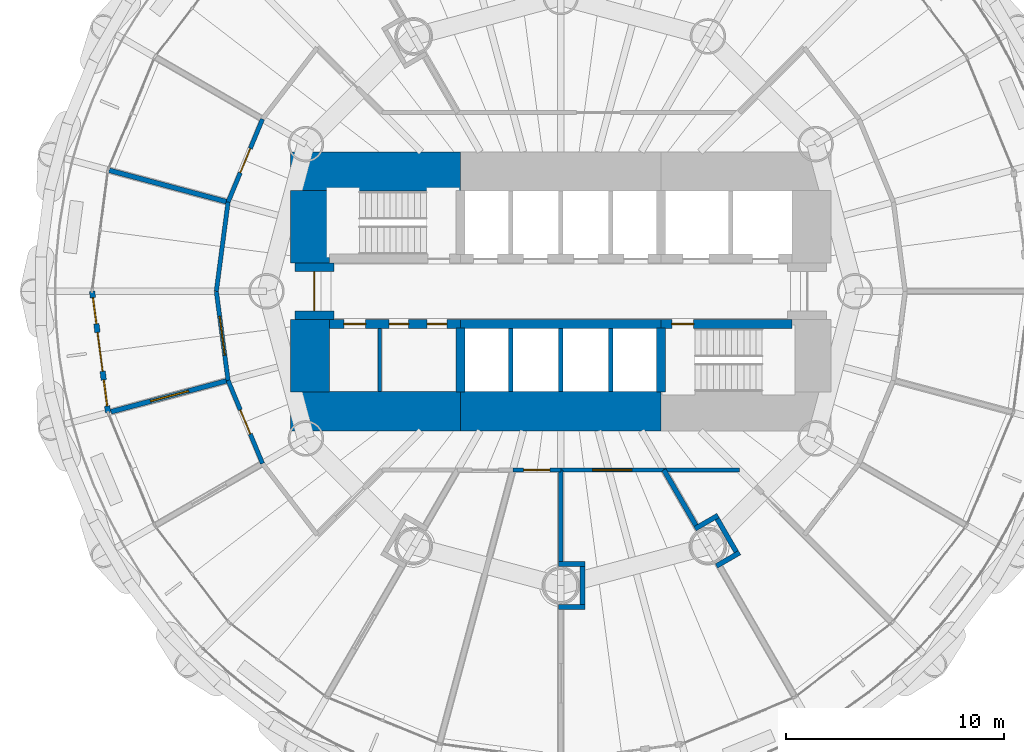
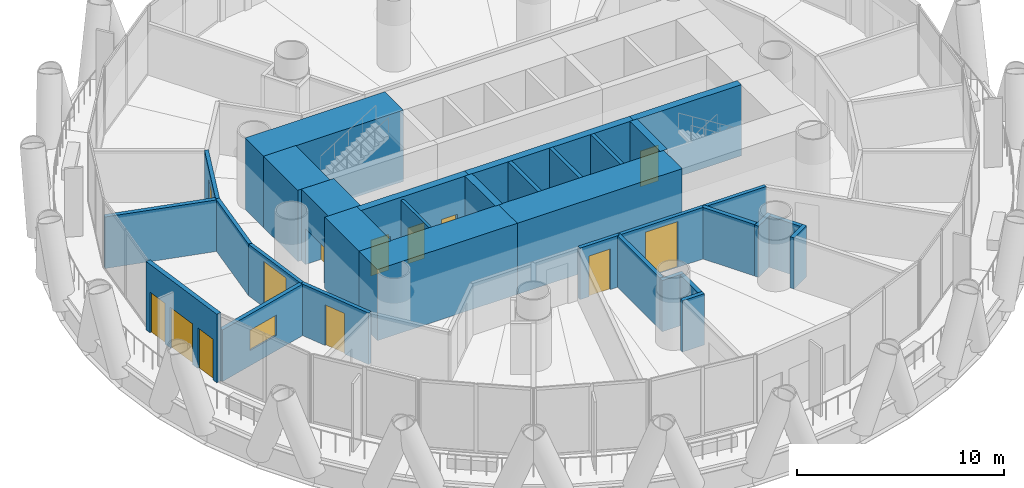
# One storey, part 10 of 16: 33 walls, 11 doors, 3 windows, 14 openings.
"""IFC4 building model written with IfcOpenShell, lengths in metres."""

from ifc_helpers import new_model, si_unit, direction, frame, frame_2d, origin, place, context, subcontext, project, spatial, rectangle, extrude, material, layer, layer_set, type_object, element, fill, save


model = new_model("IFC4")

# Units and contexts
model_context = context("Model", 3, precision=1e-05, world=origin(), true_north=direction((0.0, 1.0)))
body_context = subcontext(model_context, "Body", "Model", "MODEL_VIEW")
ifc_project = project(units=[si_unit("LENGTHUNIT", "METRE"), si_unit("AREAUNIT", "SQUARE_METRE"), si_unit("VOLUMEUNIT", "CUBIC_METRE"), si_unit("PLANEANGLEUNIT", "RADIAN"), si_unit("MASSUNIT", "GRAM", prefix="KILO")], contexts=[model_context])

# Site, building, storey
site_placement = place(None, origin())
site = spatial("IfcSite", under=ifc_project, at=site_placement, CompositionType="ELEMENT")
building_placement = place(site_placement, origin())
building = spatial("IfcBuilding", under=site, at=building_placement, Name="Qaws Media Tower", CompositionType="ELEMENT")
storey_placement = place(building_placement, frame((0.0, 0.0, 38.60009765625)))
storey = spatial("IfcBuildingStorey", under=building, at=storey_placement, Name="L07", CompositionType="ELEMENT", Elevation=38.60009765625)

# Wall
ifc_material_1 = material(Name="Twin metal stud frames, two layers gypsum board each side, insulated, Rw 55", Category="gypsum")
ifc_layer_1 = layer(ifc_material_1, 0.22509765625)
ifc_layer_set_1 = layer_set([ifc_layer_1], Name="Acoustic twin-stud partition 225 Rw 55")
wall_type_1 = type_object("IfcWallType", Name="Acoustic twin-stud partition 225 Rw 55", PredefinedType="PARTITIONING", material=ifc_layer_set_1)
wall_1_placement = place(storey_placement, frame((44.73828125, 54.08935546875, 0.0), z_axis=(0.0, 0.0, 1.0), x_axis=(-0.965927834919, 0.258811548677, 0.0)))
element("IfcWall", 1, at=wall_1_placement, inside=storey, type_object=wall_type_1, Name="W034 IW6 partition L07", PredefinedType="PARTITIONING", context=body_context, shape_type="SweptSolid", body=[
    extrude(rectangle(XDim=5.659912109375, YDim=0.22509765625, at=frame_2d((2.830078125, 0.0))), origin(), (0.0, 0.0, 1.0), 3.039794921875),
])

# Wall, opening, window
wall_2_placement = place(storey_placement, frame((44.73828125, 45.91064453125, 0.0), z_axis=(0.0, 0.0, 1.0), x_axis=(-0.965926686799, -0.258815833613, 0.0)))
wall_2 = element("IfcWall", 2, at=wall_2_placement, inside=storey, type_object=wall_type_1, Name="W033 IW6 partition L07", PredefinedType="PARTITIONING", context=body_context, shape_type="SweptSolid", body=[
    extrude(rectangle(XDim=5.559814453125, YDim=0.22509765625, at=frame_2d((2.77978515625, 0.0))), origin(), (0.0, 0.0, 1.0), 3.039794921875),
])
opening_1_placement = place(wall_2_placement, frame((1.8798828125, 0.0, 0.89990234375)))
opening_1 = element("IfcOpeningElement", 3, at=opening_1_placement, cuts=wall_2, Name="Opening W8", PredefinedType="OPENING", context=body_context, shape_type="SweptSolid", body=[
    extrude(rectangle(XDim=1.800048828125, YDim=1.199951171875, at=frame_2d((0.89990234375, 0.60009765625))), frame((0.0, 0.12255859375, 0.0), z_axis=(0.0, -1.0, 0.0), x_axis=(1.0, 0.0, 0.0)), (0.0, 0.0, 1.0), 0.2451171875),
])
ifc_material_2 = material(Name="Laminated acoustic double glazing, Rw 50, in steel frame", Category="steel")
window_type_1 = type_object("IfcWindowType", Name="Control room observation window 1800x1200", PartitioningType="SINGLE_PANEL", PredefinedType="WINDOW", material=ifc_material_2)
window_1_placement = place(opening_1_placement, origin())
window_1 = element("IfcWindow", 4, at=window_1_placement, inside=storey, type_object=window_type_1, Name="W8 control room observation window L07", OverallHeight=1.199951171875, OverallWidth=1.800048828125, PartitioningType="SINGLE_PANEL", PredefinedType="WINDOW", context=body_context, shape_type="SweptSolid", body=[
    extrude(rectangle(XDim=1.800048828125, YDim=1.199951171875, at=frame_2d((0.89990234375, 0.60009765625))), frame((0.0, 0.030029296875, 0.0), z_axis=(0.0, -1.0, 0.0), x_axis=(1.0, 0.0, 0.0)), (0.0, 0.0, 1.0), 0.06005859375),
])
fill(opening_1, window_1)

# Walls
for number, where, z_axis, x_axis, name in (
    (5, (59.887451171875, 37.485595703125, 0.0), (0.0, 0.0, 1.0), (1.0, 0.0, 0.0), "W012 IW6 partition return L07"),
    (6, (59.887451171875, 35.514404296875, 0.0), (0.0, 0.0, 1.0), (1.0, 0.0, 0.0), "W011 IW6 partition return L07"),
):
    element("IfcWall", number, at=place(storey_placement, frame(where, z_axis=z_axis, x_axis=x_axis)), inside=storey, type_object=wall_type_1, Name=name, PredefinedType="PARTITIONING", context=body_context, shape_type="SweptSolid", body=[
        extrude(rectangle(XDim=1.220458984375, YDim=0.22509765625, at=frame_2d((0.6103515625, 0.0))), origin(), (0.0, 0.0, 1.0), 3.02001953125),
    ])
wall_3_placement = place(storey_placement, frame((60.99560546875, 37.373046875, 0.0), z_axis=(0.0, 0.0, 1.0), x_axis=(0.0, -1.0, 0.0)))
element("IfcWall", 7, at=wall_3_placement, inside=storey, type_object=wall_type_1, Name="W015 IW6 partition return L07", PredefinedType="PARTITIONING", context=body_context, shape_type="SweptSolid", body=[
    extrude(rectangle(XDim=1.74609375, YDim=0.22509765625, at=frame_2d((0.873046875, 0.0))), origin(), (0.0, 0.0, 1.0), 3.02001953125),
])
wall_4_placement = place(storey_placement, frame((60.0, 41.800048828125, 0.0), z_axis=(0.0, 0.0, 1.0), x_axis=(0.0, -1.0, 0.0)))
element("IfcWall", 8, at=wall_4_placement, inside=storey, type_object=wall_type_1, Name="W014 IW6 partition L07", PredefinedType="PARTITIONING", context=body_context, shape_type="SweptSolid", body=[
    extrude(rectangle(XDim=4.2021484375, YDim=0.22509765625, at=frame_2d((2.10107421875, 0.0))), origin(), (0.0, 0.0, 1.0), 3.039794921875),
])
wall_5_placement = place(storey_placement, frame((66.159912109375, 39.10595703125, 0.0), z_axis=(0.0, 0.0, 1.0), x_axis=(0.866055662726, 0.499947586314, 0.0)))
element("IfcWall", 9, at=wall_5_placement, inside=storey, type_object=wall_type_1, Name="W017 IW6 partition return L07", PredefinedType="PARTITIONING", context=body_context, shape_type="SweptSolid", body=[
    extrude(rectangle(XDim=1.220458984375, YDim=0.22509765625, at=frame_2d((0.6103515625, 0.0))), origin(), (0.0, 0.0, 1.0), 3.02001953125),
])
wall_6_placement = place(storey_placement, frame((67.145263671875, 37.39892578125, 0.0), z_axis=(0.0, 0.0, 1.0), x_axis=(0.866019052629, 0.500011000363, 0.0)))
element("IfcWall", 10, at=wall_6_placement, inside=storey, type_object=wall_type_1, Name="W018 IW6 partition return L07", PredefinedType="PARTITIONING", context=body_context, shape_type="SweptSolid", body=[
    extrude(rectangle(XDim=1.220703125, YDim=0.22509765625, at=frame_2d((0.6103515625, 0.0))), origin(), (0.0, 0.0, 1.0), 3.02001953125),
])
wall_7_placement = place(storey_placement, frame((67.175537109375, 39.5625, 0.0), z_axis=(0.0, 0.0, 1.0), x_axis=(0.499988720078, -0.866031916153, 0.0)))
element("IfcWall", 11, at=wall_7_placement, inside=storey, type_object=wall_type_1, Name="W019 IW6 partition return L07", PredefinedType="PARTITIONING", context=body_context, shape_type="SweptSolid", body=[
    extrude(rectangle(XDim=1.74609375, YDim=0.22509765625, at=frame_2d((0.873046875, 0.0))), origin(), (0.0, 0.0, 1.0), 3.02001953125),
])
wall_8_placement = place(storey_placement, frame((64.72998046875, 41.807373046875, 0.0), z_axis=(0.0, 0.0, 1.0), x_axis=(0.49998584623, -0.866033575313, 0.0)))
element("IfcWall", 12, at=wall_8_placement, inside=storey, type_object=wall_type_1, Name="W016 IW6 partition L07", PredefinedType="PARTITIONING", context=body_context, shape_type="SweptSolid", body=[
    extrude(rectangle(XDim=2.94189453125, YDim=0.22509765625, at=frame_2d((1.470947265625, 0.0))), origin(), (0.0, 0.0, 1.0), 3.039794921875),
])

# Wall, openings, door, windows
ifc_material_3 = material(Name="Precast concrete, exposed finish", Category="concrete")
ifc_layer_2 = layer(ifc_material_3, 0.25)
ifc_layer_set_2 = layer_set([ifc_layer_2], Name="Balcony door wall 250")
wall_type_2 = type_object("IfcWallType", Name="Balcony door wall 250", PredefinedType="SOLIDWALL", material=ifc_layer_set_2)
wall_9_placement = place(storey_placement, frame((38.5, 50.0, 0.0), z_axis=(0.0, 0.0, 1.0), x_axis=(0.130536651449, -0.991443484334, 0.0)))
wall_9 = element("IfcWall", 13, at=wall_9_placement, inside=storey, type_object=wall_type_2, Name="W117 EW1 balcony door wall L07-13", PredefinedType="SOLIDWALL", context=body_context, shape_type="SweptSolid", body=[
    extrude(rectangle(XDim=5.61279296875, YDim=0.25, at=frame_2d((2.806396484375, 0.0))), origin(), (0.0, 0.0, 1.0), 4.039794921875),
])
opening_2_placement = place(wall_9_placement, frame((1.90625, 0.0, 0.0)))
opening_2 = element("IfcOpeningElement", 14, at=opening_2_placement, cuts=wall_9, Name="Opening D7", PredefinedType="OPENING", context=body_context, shape_type="SweptSolid", body=[
    extrude(rectangle(XDim=1.800048828125, YDim=2.39990234375, at=frame_2d((0.89990234375, 1.199951171875))), frame((0.0, 0.135009765625, 0.0), z_axis=(0.0, -1.0, 0.0), x_axis=(1.0, 0.0, 0.0)), (0.0, 0.0, 1.0), 0.27001953125),
])
opening_3_placement = place(wall_9_placement, frame((0.306396484375, 0.0, 0.0)))
opening_3 = element("IfcOpeningElement", 15, at=opening_3_placement, cuts=wall_9, Name="Opening W1", PredefinedType="OPENING", context=body_context, shape_type="SweptSolid", body=[
    extrude(rectangle(XDim=1.199951171875, YDim=2.39990234375, at=frame_2d((0.60009765625, 1.199951171875))), frame((0.0, 0.135009765625, 0.0), z_axis=(0.0, -1.0, 0.0), x_axis=(1.0, 0.0, 0.0)), (0.0, 0.0, 1.0), 0.27001953125),
])
opening_4_placement = place(wall_9_placement, frame((4.106201171875, 0.0, 0.0)))
opening_4 = element("IfcOpeningElement", 16, at=opening_4_placement, cuts=wall_9, Name="Opening W1", PredefinedType="OPENING", context=body_context, shape_type="SweptSolid", body=[
    extrude(rectangle(XDim=1.199951171875, YDim=2.39990234375, at=frame_2d((0.60009765625, 1.199951171875))), frame((0.0, 0.135009765625, 0.0), z_axis=(0.0, -1.0, 0.0), x_axis=(1.0, 0.0, 0.0)), (0.0, 0.0, 1.0), 0.27001953125),
])
ifc_material_4 = material(Name="Aluminium and clear glass", Category="aluminium")
door_type_1 = type_object("IfcDoorType", Name="Balcony door pair 1800", OperationType="DOUBLE_DOOR_SLIDING", PredefinedType="DOOR", material=ifc_material_4)
door_1_placement = place(opening_2_placement, origin())
door_1 = element("IfcDoor", 17, at=door_1_placement, inside=storey, type_object=door_type_1, Name="D7 balcony door L07-13 in wall W117", OperationType="DOUBLE_DOOR_SLIDING", OverallHeight=2.39990234375, OverallWidth=1.800048828125, PredefinedType="DOOR", context=body_context, shape_type="SweptSolid", body=[
    extrude(rectangle(XDim=1.800048828125, YDim=2.39990234375, at=frame_2d((0.89990234375, 1.199951171875))), frame((0.0, 0.02490234375, 0.0), z_axis=(0.0, -1.0, 0.0), x_axis=(1.0, 0.0, 0.0)), (0.0, 0.0, 1.0), 0.050048828125),
])
fill(opening_2, door_1)
ifc_material_5 = material(Name="Aluminium and clear glass", Category="aluminium")
window_type_2 = type_object("IfcWindowType", Name="Balcony side window 1200", PartitioningType="SINGLE_PANEL", PredefinedType="WINDOW", material=ifc_material_5)
window_2_placement = place(opening_3_placement, origin())
window_2 = element("IfcWindow", 18, at=window_2_placement, inside=storey, type_object=window_type_2, Name="W1 balcony side light L07-13L", OverallHeight=2.39990234375, OverallWidth=1.199951171875, PartitioningType="SINGLE_PANEL", PredefinedType="WINDOW", context=body_context, shape_type="SweptSolid", body=[
    extrude(rectangle(XDim=1.199951171875, YDim=2.39990234375, at=frame_2d((0.60009765625, 1.199951171875))), frame((0.0, 0.030029296875, 0.0), z_axis=(0.0, -1.0, 0.0), x_axis=(1.0, 0.0, 0.0)), (0.0, 0.0, 1.0), 0.06005859375),
])
fill(opening_3, window_2)
window_3_placement = place(opening_4_placement, origin())
window_3 = element("IfcWindow", 19, at=window_3_placement, inside=storey, type_object=window_type_2, Name="W1 balcony side light L07-13R", OverallHeight=2.39990234375, OverallWidth=1.199951171875, PartitioningType="SINGLE_PANEL", PredefinedType="WINDOW", context=body_context, shape_type="SweptSolid", body=[
    extrude(rectangle(XDim=1.199951171875, YDim=2.39990234375, at=frame_2d((0.60009765625, 1.199951171875))), frame((0.0, 0.030029296875, 0.0), z_axis=(0.0, -1.0, 0.0), x_axis=(1.0, 0.0, 0.0)), (0.0, 0.0, 1.0), 0.06005859375),
])
fill(opening_4, window_3)

# Wall, openings, doors
ifc_material_6 = material(Name="Concrete C60/75", Category="concrete")
ifc_layer_3 = layer(ifc_material_6, 0.39990234375)
ifc_layer_set_3 = layer_set([ifc_layer_3], Name="Core inner wall 400")
wall_type_3 = type_object("IfcWallType", Name="Core inner wall 400", PredefinedType="SHEAR", material=ifc_layer_set_3)
wall_10_placement = place(storey_placement, frame((49.3798828125, 48.5, 0.0), z_axis=(0.0, 0.0, 1.0), x_axis=(1.0, 0.0, 0.0)))
wall_10 = element("IfcWall", 20, at=wall_10_placement, inside=storey, type_object=wall_type_3, Name="W310 SW4 core wall SPSW L07", PredefinedType="SHEAR", context=body_context, shape_type="SweptSolid", body=[
    extrude(rectangle(XDim=6.02001953125, YDim=0.39990234375, at=frame_2d((3.010009765625, 0.0))), origin(), (0.0, 0.0, 1.0), 4.199951171875),
])
opening_5_placement = place(wall_10_placement, frame((0.669921875, 0.0, 0.0)))
opening_5 = element("IfcOpeningElement", 21, at=opening_5_placement, cuts=wall_10, Name="Opening D4", PredefinedType="OPENING", context=body_context, shape_type="SweptSolid", body=[
    extrude(rectangle(XDim=1.0, YDim=2.10009765625, at=frame_2d((0.5, 1.050048828125))), frame((0.0, 0.2099609375, 0.0), z_axis=(0.0, -1.0, 0.0), x_axis=(1.0, 0.0, 0.0)), (0.0, 0.0, 1.0), 0.419921875),
])
opening_6_placement = place(wall_10_placement, frame((2.7451171875, 0.0, 0.0)))
opening_6 = element("IfcOpeningElement", 22, at=opening_6_placement, cuts=wall_10, Name="Opening D3", PredefinedType="OPENING", context=body_context, shape_type="SweptSolid", body=[
    extrude(rectangle(XDim=0.89990234375, YDim=2.10009765625, at=frame_2d((0.449951171875, 1.050048828125))), frame((0.0, 0.2099609375, 0.0), z_axis=(0.0, -1.0, 0.0), x_axis=(1.0, 0.0, 0.0)), (0.0, 0.0, 1.0), 0.419921875),
])
opening_7_placement = place(wall_10_placement, frame((4.4951171875, 0.0, 0.0)))
opening_7 = element("IfcOpeningElement", 23, at=opening_7_placement, cuts=wall_10, Name="Opening D3", PredefinedType="OPENING", context=body_context, shape_type="SweptSolid", body=[
    extrude(rectangle(XDim=0.89990234375, YDim=2.10009765625, at=frame_2d((0.449951171875, 1.050048828125))), frame((0.0, 0.2099609375, 0.0), z_axis=(0.0, -1.0, 0.0), x_axis=(1.0, 0.0, 0.0)), (0.0, 0.0, 1.0), 0.419921875),
])
ifc_material_7 = material(Name="Timber veneered", Category="wood")
door_type_2 = type_object("IfcDoorType", Name="Accessible WC door 1000", OperationType="SLIDING_TO_LEFT", PredefinedType="DOOR", material=ifc_material_7)
door_2_placement = place(opening_5_placement, origin())
door_2 = element("IfcDoor", 24, at=door_2_placement, inside=storey, type_object=door_type_2, Name="D4 toilet door 1 L07 in wall W310", OperationType="SLIDING_TO_LEFT", OverallHeight=2.10009765625, OverallWidth=1.0, PredefinedType="DOOR", context=body_context, shape_type="SweptSolid", body=[
    extrude(rectangle(XDim=1.0, YDim=2.10009765625, at=frame_2d((0.5, 1.050048828125))), frame((0.0, 0.02490234375, 0.0), z_axis=(0.0, -1.0, 0.0), x_axis=(1.0, 0.0, 0.0)), (0.0, 0.0, 1.0), 0.050048828125),
])
fill(opening_5, door_2)
ifc_material_8 = material(Name="Timber veneered", Category="wood")
door_type_3 = type_object("IfcDoorType", Name="Toilet door 900", OperationType="SINGLE_SWING_RIGHT", PredefinedType="DOOR", material=ifc_material_8)
door_3_placement = place(opening_6_placement, origin())
door_3 = element("IfcDoor", 25, at=door_3_placement, inside=storey, type_object=door_type_3, Name="D3 toilet door 2 L07 in wall W310", OperationType="SINGLE_SWING_RIGHT", OverallHeight=2.10009765625, OverallWidth=0.89990234375, PredefinedType="DOOR", context=body_context, shape_type="SweptSolid", body=[
    extrude(rectangle(XDim=0.89990234375, YDim=2.10009765625, at=frame_2d((0.449951171875, 1.050048828125))), frame((0.0, 0.02490234375, 0.0), z_axis=(0.0, -1.0, 0.0), x_axis=(1.0, 0.0, 0.0)), (0.0, 0.0, 1.0), 0.050048828125),
])
fill(opening_6, door_3)
door_4_placement = place(opening_7_placement, origin())
door_4 = element("IfcDoor", 26, at=door_4_placement, inside=storey, type_object=door_type_3, Name="D3 toilet door 3 L07 in wall W310", OperationType="SINGLE_SWING_RIGHT", OverallHeight=2.10009765625, OverallWidth=0.89990234375, PredefinedType="DOOR", context=body_context, shape_type="SweptSolid", body=[
    extrude(rectangle(XDim=0.89990234375, YDim=2.10009765625, at=frame_2d((0.449951171875, 1.050048828125))), frame((0.0, 0.02490234375, 0.0), z_axis=(0.0, -1.0, 0.0), x_axis=(1.0, 0.0, 0.0)), (0.0, 0.0, 1.0), 0.050048828125),
])
fill(opening_7, door_4)

# Wall
wall_11_placement = place(storey_placement, frame((55.39990234375, 48.5, 0.0), z_axis=(0.0, 0.0, 1.0), x_axis=(1.0, 0.0, 0.0)))
element("IfcWall", 27, at=wall_11_placement, inside=storey, type_object=wall_type_3, Name="W313 SW4 core wall SPS L07", PredefinedType="SHEAR", context=body_context, shape_type="SweptSolid", body=[
    extrude(rectangle(XDim=9.2001953125, YDim=0.39990234375, at=frame_2d((4.60009765625, 0.0))), origin(), (0.0, 0.0, 1.0), 4.199951171875),
])

# Wall, opening, door
wall_12_placement = place(storey_placement, frame((64.60009765625, 48.5, 0.0), z_axis=(0.0, 0.0, 1.0), x_axis=(1.0, 0.0, 0.0)))
wall_12 = element("IfcWall", 28, at=wall_12_placement, inside=storey, type_object=wall_type_3, Name="W317 SW4 core wall SPSE L07", PredefinedType="SHEAR", context=body_context, shape_type="SweptSolid", body=[
    extrude(rectangle(XDim=6.02001953125, YDim=0.39990234375, at=frame_2d((3.010009765625, 0.0))), origin(), (0.0, 0.0, 1.0), 4.199951171875),
])
opening_8_placement = place(wall_12_placement, frame((0.5, 0.0, 0.0)))
opening_8 = element("IfcOpeningElement", 29, at=opening_8_placement, cuts=wall_12, Name="Opening D1", PredefinedType="OPENING", context=body_context, shape_type="SweptSolid", body=[
    extrude(rectangle(XDim=1.0, YDim=2.10009765625, at=frame_2d((0.5, 1.050048828125))), frame((0.0, 0.2099609375, 0.0), z_axis=(0.0, -1.0, 0.0), x_axis=(1.0, 0.0, 0.0)), (0.0, 0.0, 1.0), 0.419921875),
])
ifc_material_9 = material(Name="Steel, fire rated", Category="steel")
door_type_4 = type_object("IfcDoorType", Name="Stair door 1000 FD120", OperationType="SINGLE_SWING_LEFT", PredefinedType="DOOR", material=ifc_material_9)
door_5_placement = place(opening_8_placement, origin())
door_5 = element("IfcDoor", 30, at=door_5_placement, inside=storey, type_object=door_type_4, Name="D1 stair S2 door L07 in wall W317", OperationType="SINGLE_SWING_LEFT", OverallHeight=2.10009765625, OverallWidth=1.0, PredefinedType="DOOR", context=body_context, shape_type="SweptSolid", body=[
    extrude(rectangle(XDim=1.0, YDim=2.10009765625, at=frame_2d((0.5, 1.050048828125))), frame((0.0, 0.02490234375, 0.0), z_axis=(0.0, -1.0, 0.0), x_axis=(1.0, 0.0, 0.0)), (0.0, 0.0, 1.0), 0.050048828125),
])
fill(opening_8, door_5)

# Walls
for number, where, z_axis, x_axis, name in (
    (31, (55.39990234375, 48.320068359375, 0.0), (0.0, 0.0, 1.0), (0.0, -1.0, 0.0), "W312 SW4 core wall XSW L07"),
    (32, (64.60009765625, 48.320068359375, 0.0), (0.0, 0.0, 1.0), (0.0, -1.0, 0.0), "W316 SW4 core wall XSE L07"),
):
    element("IfcWall", number, at=place(storey_placement, frame(where, z_axis=z_axis, x_axis=x_axis)), inside=storey, type_object=wall_type_3, Name=name, PredefinedType="SHEAR", context=body_context, shape_type="SweptSolid", body=[
        extrude(rectangle(XDim=2.940185546875, YDim=0.39990234375, at=frame_2d((1.47021484375, 0.0))), origin(), (0.0, 0.0, 1.0), 4.199951171875),
    ])
ifc_material_10 = material(Name="Concrete C60/75", Category="concrete")
ifc_layer_4 = layer(ifc_material_10, 1.800048828125)
ifc_layer_set_4 = layer_set([ifc_layer_4], Name="Core wall 1800")
wall_type_4 = type_object("IfcWallType", Name="Core wall 1800", PredefinedType="SHEAR", material=ifc_layer_set_4)
for number, where, z_axis, x_axis, name in (
    (33, (47.60009765625, 55.5, 0.0), (0.0, 0.0, 1.0), (1.0, 0.0, 0.0), "W399 SW11 core wall NW L07"),
    (34, (47.60009765625, 44.5, 0.0), (0.0, 0.0, 1.0), (1.0, 0.0, 0.0), "W398 SW11 core wall SW L07"),
):
    element("IfcWall", number, at=place(storey_placement, frame(where, z_axis=z_axis, x_axis=x_axis)), inside=storey, type_object=wall_type_4, Name=name, PredefinedType="SHEAR", context=body_context, shape_type="SweptSolid", body=[
        extrude(rectangle(XDim=7.7998046875, YDim=1.800048828125, at=frame_2d((3.89990234375, 0.0))), origin(), (0.0, 0.0, 1.0), 4.199951171875),
    ])
wall_13_placement = place(storey_placement, frame((55.39990234375, 44.5, 0.0), z_axis=(0.0, 0.0, 1.0), x_axis=(1.0, 0.0, 0.0)))
element("IfcWall", 35, at=wall_13_placement, inside=storey, type_object=wall_type_4, Name="W403 SW11 core wall S L07", PredefinedType="SHEAR", context=body_context, shape_type="SweptSolid", body=[
    extrude(rectangle(XDim=9.2001953125, YDim=1.800048828125, at=frame_2d((4.60009765625, 0.0))), origin(), (0.0, 0.0, 1.0), 4.199951171875),
])
wall_14_placement = place(storey_placement, frame((48.5, 45.3798828125, 0.0), z_axis=(0.0, 0.0, 1.0), x_axis=(0.0, 1.0, 0.0)))
element("IfcWall", 36, at=wall_14_placement, inside=storey, type_object=wall_type_4, Name="W410 SW11 core wall WS L07", PredefinedType="SHEAR", context=body_context, shape_type="SweptSolid", body=[
    extrude(rectangle(XDim=3.320068359375, YDim=1.800048828125, at=frame_2d((1.66015625, 0.0))), origin(), (0.0, 0.0, 1.0), 4.199951171875),
])

# Wall, opening, door
wall_15_placement = place(storey_placement, frame((48.699951171875, 48.699951171875, 0.0), z_axis=(0.0, 0.0, 1.0), x_axis=(0.0, 1.0, 0.0)))
wall_15 = element("IfcWall", 37, at=wall_15_placement, inside=storey, type_object=wall_type_4, Name="W412 SW11 core wall W L07", PredefinedType="SHEAR", context=body_context, shape_type="SweptSolid", body=[
    extrude(rectangle(XDim=2.60009765625, YDim=1.800048828125, at=frame_2d((1.300048828125, 0.0))), origin(), (0.0, 0.0, 1.0), 4.199951171875),
])
opening_9_placement = place(wall_15_placement, frame((0.39990234375, 0.0, 0.0)))
opening_9 = element("IfcOpeningElement", 38, at=opening_9_placement, cuts=wall_15, Name="Opening D2", PredefinedType="OPENING", context=body_context, shape_type="SweptSolid", body=[
    extrude(rectangle(XDim=1.800048828125, YDim=2.10009765625, at=frame_2d((0.89990234375, 1.050048828125))), frame((0.0, 0.909912109375, 0.0), z_axis=(0.0, -1.0, 0.0), x_axis=(1.0, 0.0, 0.0)), (0.0, 0.0, 1.0), 1.820068359375),
])
ifc_material_11 = material(Name="Steel and glass, fire rated", Category="steel")
door_type_5 = type_object("IfcDoorType", Name="Lobby door pair 1800 FD60", OperationType="DOUBLE_DOOR_DOUBLE_SWING", PredefinedType="DOOR", material=ifc_material_11)
door_6_placement = place(opening_9_placement, origin())
door_6 = element("IfcDoor", 39, at=door_6_placement, inside=storey, type_object=door_type_5, Name="D2 core lobby door W L07 in wall W412", OperationType="DOUBLE_DOOR_DOUBLE_SWING", OverallHeight=2.10009765625, OverallWidth=1.800048828125, PredefinedType="DOOR", context=body_context, shape_type="SweptSolid", body=[
    extrude(rectangle(XDim=1.800048828125, YDim=2.10009765625, at=frame_2d((0.89990234375, 1.050048828125))), frame((0.0, 0.02490234375, 0.0), z_axis=(0.0, -1.0, 0.0), x_axis=(1.0, 0.0, 0.0)), (0.0, 0.0, 1.0), 0.050048828125),
])
fill(opening_9, door_6)

# Wall
wall_16_placement = place(storey_placement, frame((48.5, 51.300048828125, 0.0), z_axis=(0.0, 0.0, 1.0), x_axis=(0.0, 1.0, 0.0)))
element("IfcWall", 40, at=wall_16_placement, inside=storey, type_object=wall_type_4, Name="W411 SW11 core wall WN L07", PredefinedType="SHEAR", context=body_context, shape_type="SweptSolid", body=[
    extrude(rectangle(XDim=3.320068359375, YDim=1.800048828125, at=frame_2d((1.66015625, 0.0))), origin(), (0.0, 0.0, 1.0), 4.199951171875),
])

# Wall, opening, door
ifc_material_12 = material(Name="Gypsum board on galvanised metal studs, acoustic double stud, deflection head", Category="gypsum")
ifc_layer_5 = layer(ifc_material_12, 0.199951171875)
ifc_layer_set_5 = layer_set([ifc_layer_5], Name="Room partition 200")
wall_type_5 = type_object("IfcWallType", Name="Room partition 200", PredefinedType="PARTITIONING", material=ifc_layer_set_5)
wall_17_placement = place(storey_placement, frame((46.31689453125, 42.10009765625, 0.0), z_axis=(0.0, 0.0, 1.0), x_axis=(-0.382731667114, 0.923859551549, 0.0)))
wall_17 = element("IfcWall", 41, at=wall_17_placement, inside=storey, type_object=wall_type_5, Name="W946 IW3 partition L07", PredefinedType="PARTITIONING", context=body_context, shape_type="SweptSolid", body=[
    extrude(rectangle(XDim=4.12451171875, YDim=0.199951171875, at=frame_2d((2.062255859375, 0.0))), origin(), (0.0, 0.0, 1.0), 3.039794921875),
])
opening_10_placement = place(wall_17_placement, frame((1.46240234375, 0.0, 0.0)))
opening_10 = element("IfcOpeningElement", 42, at=opening_10_placement, cuts=wall_17, Name="Opening D14", PredefinedType="OPENING", context=body_context, shape_type="SweptSolid", body=[
    extrude(rectangle(XDim=1.199951171875, YDim=2.39990234375, at=frame_2d((0.60009765625, 1.199951171875))), frame((0.0, 0.10986328125, 0.0), z_axis=(0.0, -1.0, 0.0), x_axis=(1.0, 0.0, 0.0)), (0.0, 0.0, 1.0), 0.219970703125),
])
ifc_material_13 = material(Name="Steel acoustic door set, Rw 45", Category="steel")
door_type_6 = type_object("IfcDoorType", Name="Acoustic door 1200x2400 Rw 45", OperationType="SINGLE_SWING_LEFT", PredefinedType="DOOR", material=ifc_material_13)
door_7_placement = place(opening_10_placement, origin())
door_7 = element("IfcDoor", 43, at=door_7_placement, inside=storey, type_object=door_type_6, Name="D14 Control room door L07 in wall W946", OperationType="SINGLE_SWING_LEFT", OverallHeight=2.39990234375, OverallWidth=1.199951171875, PredefinedType="DOOR", context=body_context, shape_type="SweptSolid", body=[
    extrude(rectangle(XDim=1.199951171875, YDim=2.39990234375, at=frame_2d((0.60009765625, 1.199951171875))), frame((0.0, 0.02490234375, 0.0), z_axis=(0.0, -1.0, 0.0), x_axis=(1.0, 0.0, 0.0)), (0.0, 0.0, 1.0), 0.050048828125),
])
fill(opening_10, door_7)

wall_18_placement = place(storey_placement, frame((44.73828125, 45.91064453125, 0.0), z_axis=(0.0, 0.0, 1.0), x_axis=(-0.130515758099, 0.991446234996, 0.0)))
wall_18 = element("IfcWall", 44, at=wall_18_placement, inside=storey, type_object=wall_type_5, Name="W943 IW3 partition L07", PredefinedType="PARTITIONING", context=body_context, shape_type="SweptSolid", body=[
    extrude(rectangle(XDim=4.124755859375, YDim=0.199951171875, at=frame_2d((2.0625, 0.0))), origin(), (0.0, 0.0, 1.0), 3.039794921875),
])
opening_11_placement = place(wall_18_placement, frame((1.162353515625, 0.0, 0.0)))
opening_11 = element("IfcOpeningElement", 45, at=opening_11_placement, cuts=wall_18, Name="Opening D15", PredefinedType="OPENING", context=body_context, shape_type="SweptSolid", body=[
    extrude(rectangle(XDim=1.800048828125, YDim=2.699951171875, at=frame_2d((0.89990234375, 1.35009765625))), frame((0.0, 0.10986328125, 0.0), z_axis=(0.0, -1.0, 0.0), x_axis=(1.0, 0.0, 0.0)), (0.0, 0.0, 1.0), 0.219970703125),
])
ifc_material_14 = material(Name="Steel acoustic door set, Rw 50", Category="steel")
door_type_7 = type_object("IfcDoorType", Name="Studio acoustic door pair 1800x2700 Rw 50", OperationType="DOUBLE_DOOR_DOUBLE_SWING", PredefinedType="DOOR", material=ifc_material_14)
door_8_placement = place(opening_11_placement, origin())
door_8 = element("IfcDoor", 46, at=door_8_placement, inside=storey, type_object=door_type_7, Name="D15 Radio studio door L07 in wall W943", OperationType="DOUBLE_DOOR_DOUBLE_SWING", OverallHeight=2.699951171875, OverallWidth=1.800048828125, PredefinedType="DOOR", context=body_context, shape_type="SweptSolid", body=[
    extrude(rectangle(XDim=1.800048828125, YDim=2.699951171875, at=frame_2d((0.89990234375, 1.35009765625))), frame((0.0, 0.02490234375, 0.0), z_axis=(0.0, -1.0, 0.0), x_axis=(1.0, 0.0, 0.0)), (0.0, 0.0, 1.0), 0.050048828125),
])
fill(opening_11, door_8)

# Wall
wall_19_placement = place(storey_placement, frame((44.199951171875, 50.0, 0.0), z_axis=(0.0, 0.0, 1.0), x_axis=(0.130515758099, 0.991446234996, 0.0)))
element("IfcWall", 47, at=wall_19_placement, inside=storey, type_object=wall_type_5, Name="W941 IW3 partition L07", PredefinedType="PARTITIONING", context=body_context, shape_type="SweptSolid", body=[
    extrude(rectangle(XDim=4.124755859375, YDim=0.199951171875, at=frame_2d((2.0625, 0.0))), origin(), (0.0, 0.0, 1.0), 3.039794921875),
])

# Wall, opening, door
wall_20_placement = place(storey_placement, frame((44.73828125, 54.08935546875, 0.0), z_axis=(0.0, 0.0, 1.0), x_axis=(0.382731667114, 0.923859551549, 0.0)))
wall_20 = element("IfcWall", 48, at=wall_20_placement, inside=storey, type_object=wall_type_5, Name="W944 IW3 partition L07", PredefinedType="PARTITIONING", context=body_context, shape_type="SweptSolid", body=[
    extrude(rectangle(XDim=4.12451171875, YDim=0.199951171875, at=frame_2d((2.062255859375, 0.0))), origin(), (0.0, 0.0, 1.0), 3.039794921875),
])
opening_12_placement = place(wall_20_placement, frame((1.46240234375, 0.0, 0.0)))
opening_12 = element("IfcOpeningElement", 49, at=opening_12_placement, cuts=wall_20, Name="Opening D14", PredefinedType="OPENING", context=body_context, shape_type="SweptSolid", body=[
    extrude(rectangle(XDim=1.199951171875, YDim=2.39990234375, at=frame_2d((0.60009765625, 1.199951171875))), frame((0.0, 0.10986328125, 0.0), z_axis=(0.0, -1.0, 0.0), x_axis=(1.0, 0.0, 0.0)), (0.0, 0.0, 1.0), 0.219970703125),
])
door_9_placement = place(opening_12_placement, origin())
door_9 = element("IfcDoor", 50, at=door_9_placement, inside=storey, type_object=door_type_6, Name="D14 Podcast booth door L07 in wall W944", OperationType="SINGLE_SWING_LEFT", OverallHeight=2.39990234375, OverallWidth=1.199951171875, PredefinedType="DOOR", context=body_context, shape_type="SweptSolid", body=[
    extrude(rectangle(XDim=1.199951171875, YDim=2.39990234375, at=frame_2d((0.60009765625, 1.199951171875))), frame((0.0, 0.02490234375, 0.0), z_axis=(0.0, -1.0, 0.0), x_axis=(1.0, 0.0, 0.0)), (0.0, 0.0, 1.0), 0.050048828125),
])
fill(opening_12, door_9)

# Wall
wall_21_placement = place(storey_placement, frame((68.199951171875, 41.800048828125, 0.0), z_axis=(0.0, 0.0, 1.0), x_axis=(-1.0, 0.0, 0.0)))
element("IfcWall", 51, at=wall_21_placement, inside=storey, type_object=wall_type_5, Name="W974 IW3 partition L07", PredefinedType="PARTITIONING", context=body_context, shape_type="SweptSolid", body=[
    extrude(rectangle(XDim=3.465576171875, YDim=0.199951171875, at=frame_2d((1.73291015625, 0.0))), origin(), (0.0, 0.0, 1.0), 3.039794921875),
])

# Wall, opening, door
wall_22_placement = place(storey_placement, frame((64.734375, 41.800048828125, 0.0), z_axis=(0.0, 0.0, 1.0), x_axis=(-1.0, 0.0, 0.0)))
wall_22 = element("IfcWall", 52, at=wall_22_placement, inside=storey, type_object=wall_type_5, Name="W973 IW3 partition L07", PredefinedType="PARTITIONING", context=body_context, shape_type="SweptSolid", body=[
    extrude(rectangle(XDim=4.734375, YDim=0.199951171875, at=frame_2d((2.3671875, 0.0))), origin(), (0.0, 0.0, 1.0), 3.039794921875),
])
opening_13_placement = place(wall_22_placement, frame((1.467041015625, 0.0, 0.0)))
opening_13 = element("IfcOpeningElement", 53, at=opening_13_placement, cuts=wall_22, Name="Opening D15", PredefinedType="OPENING", context=body_context, shape_type="SweptSolid", body=[
    extrude(rectangle(XDim=1.800048828125, YDim=2.699951171875, at=frame_2d((0.89990234375, 1.35009765625))), frame((0.0, 0.10986328125, 0.0), z_axis=(0.0, -1.0, 0.0), x_axis=(1.0, 0.0, 0.0)), (0.0, 0.0, 1.0), 0.219970703125),
])
door_10_placement = place(opening_13_placement, origin())
door_10 = element("IfcDoor", 54, at=door_10_placement, inside=storey, type_object=door_type_7, Name="D15 Radio studio door L07 in wall W973", OperationType="DOUBLE_DOOR_DOUBLE_SWING", OverallHeight=2.699951171875, OverallWidth=1.800048828125, PredefinedType="DOOR", context=body_context, shape_type="SweptSolid", body=[
    extrude(rectangle(XDim=1.800048828125, YDim=2.699951171875, at=frame_2d((0.89990234375, 1.35009765625))), frame((0.0, 0.02490234375, 0.0), z_axis=(0.0, -1.0, 0.0), x_axis=(1.0, 0.0, 0.0)), (0.0, 0.0, 1.0), 0.050048828125),
])
fill(opening_13, door_10)

wall_23_placement = place(storey_placement, frame((60.0, 41.800048828125, 0.0), z_axis=(0.0, 0.0, 1.0), x_axis=(-1.0, 0.0, 0.0)))
wall_23 = element("IfcWall", 55, at=wall_23_placement, inside=storey, type_object=wall_type_5, Name="W972 IW3 partition L07", PredefinedType="PARTITIONING", context=body_context, shape_type="SweptSolid", body=[
    extrude(rectangle(XDim=2.197265625, YDim=0.199951171875, at=frame_2d((1.0986328125, 0.0))), origin(), (0.0, 0.0, 1.0), 3.039794921875),
])
opening_14_placement = place(wall_23_placement, frame((0.49853515625, 0.0, 0.0)))
opening_14 = element("IfcOpeningElement", 56, at=opening_14_placement, cuts=wall_23, Name="Opening D14", PredefinedType="OPENING", context=body_context, shape_type="SweptSolid", body=[
    extrude(rectangle(XDim=1.199951171875, YDim=2.39990234375, at=frame_2d((0.60009765625, 1.199951171875))), frame((0.0, 0.10986328125, 0.0), z_axis=(0.0, -1.0, 0.0), x_axis=(1.0, 0.0, 0.0)), (0.0, 0.0, 1.0), 0.219970703125),
])
door_11_placement = place(opening_14_placement, origin())
door_11 = element("IfcDoor", 57, at=door_11_placement, inside=storey, type_object=door_type_6, Name="D14 Control room door L07 in wall W972", OperationType="SINGLE_SWING_LEFT", OverallHeight=2.39990234375, OverallWidth=1.199951171875, PredefinedType="DOOR", context=body_context, shape_type="SweptSolid", body=[
    extrude(rectangle(XDim=1.199951171875, YDim=2.39990234375, at=frame_2d((0.60009765625, 1.199951171875))), frame((0.0, 0.02490234375, 0.0), z_axis=(0.0, -1.0, 0.0), x_axis=(1.0, 0.0, 0.0)), (0.0, 0.0, 1.0), 0.050048828125),
])
fill(opening_14, door_11)

# Walls
ifc_material_15 = material(Name="Fire-rated gypsum board shaft wall on galvanised metal studs, deflection head", Category="gypsum")
ifc_layer_6 = layer(ifc_material_15, 0.199951171875)
ifc_layer_set_6 = layer_set([ifc_layer_6], Name="Shaft wall 200")
wall_type_6 = type_object("IfcWallType", Name="Shaft wall 200", PredefinedType="PARTITIONING", material=ifc_layer_set_6)
for number, where, z_axis, x_axis, name in (
    (58, (57.699951171875, 45.39990234375, 0.0), (0.0, 0.0, 1.0), (0.0, 1.0, 0.0), "W1835 IW1 shaft wall S1 L07"),
    (59, (60.0, 45.39990234375, 0.0), (0.0, 0.0, 1.0), (0.0, 1.0, 0.0), "W1837 IW1 shaft wall S2 L07"),
    (60, (62.300048828125, 45.39990234375, 0.0), (0.0, 0.0, 1.0), (0.0, 1.0, 0.0), "W1839 IW1 shaft wall S3 L07"),
):
    element("IfcWall", number, at=place(storey_placement, frame(where, z_axis=z_axis, x_axis=x_axis)), inside=storey, type_object=wall_type_6, Name=name, PredefinedType="PARTITIONING", context=body_context, shape_type="SweptSolid", body=[
        extrude(rectangle(XDim=2.900146484375, YDim=0.199951171875, at=frame_2d((1.4501953125, 0.0))), origin(), (0.0, 0.0, 1.0), 4.199951171875),
    ])
ifc_material_16 = material(Name="Gypsum board on galvanised metal studs, deflection head", Category="gypsum")
ifc_layer_7 = layer(ifc_material_16, 0.14990234375)
ifc_layer_set_7 = layer_set([ifc_layer_7], Name="WC partition 150")
wall_type_7 = type_object("IfcWallType", Name="WC partition 150", PredefinedType="PARTITIONING", material=ifc_layer_set_7)
wall_24_placement = place(storey_placement, frame((51.699951171875, 45.39990234375, 0.0), z_axis=(0.0, 0.0, 1.0), x_axis=(0.0, 1.0, 0.0)))
element("IfcWall", 61, at=wall_24_placement, inside=storey, type_object=wall_type_7, Name="W1904 IW2 toilet partition 1 L07", PredefinedType="PARTITIONING", context=body_context, shape_type="SweptSolid", body=[
    extrude(rectangle(XDim=2.900146484375, YDim=0.14990234375, at=frame_2d((1.4501953125, 0.0))), origin(), (0.0, 0.0, 1.0), 4.039794921875),
])

save(model, "model.ifc")
